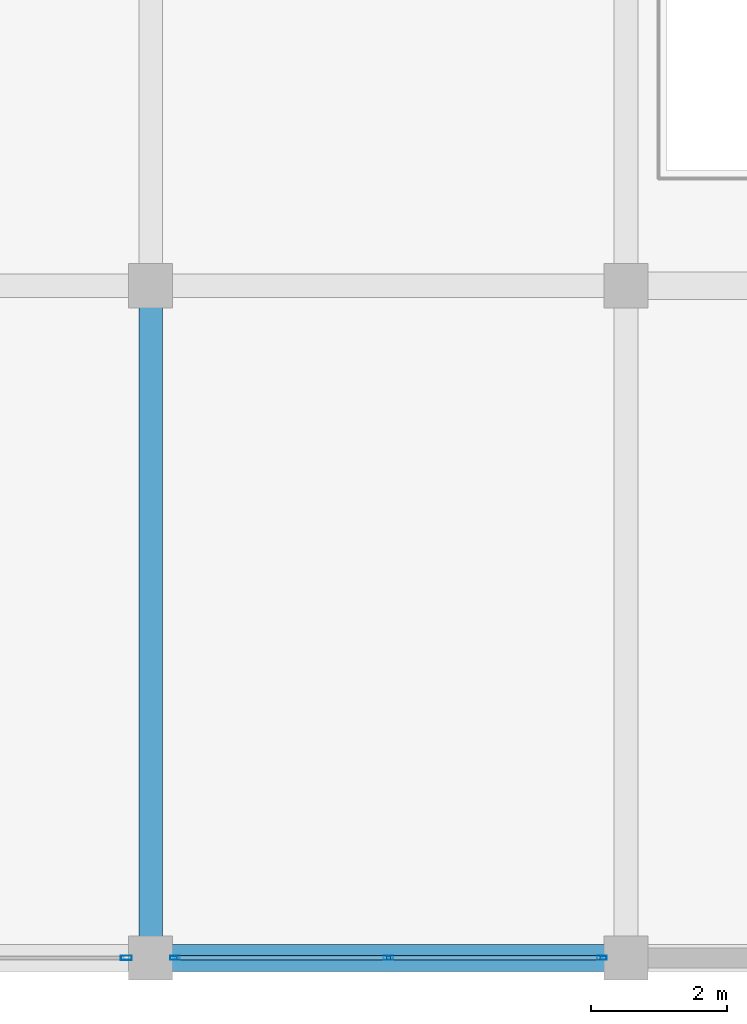
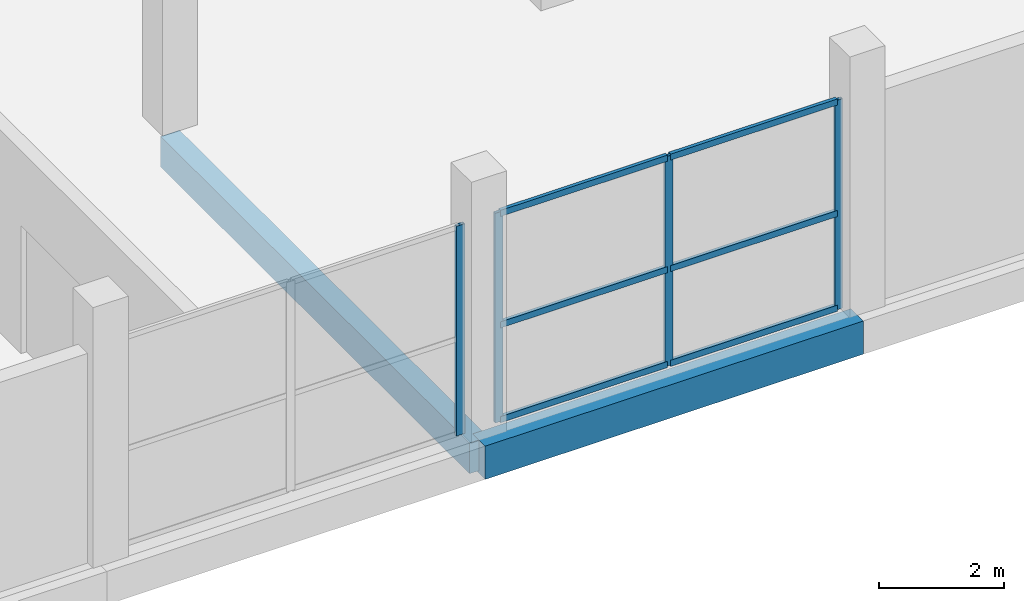
# One storey, part 4 of 58: 10 members, 2 beams, 2 elements without a shape of their own.
"""IFC4 building model written with IfcOpenShell, lengths in metres."""

from ifc_helpers import new_model, si_unit, direction, frame, origin, origin_2d, place, context, subcontext, project, spatial, rectangle, hollow_rectangle, extrude, material, layer, layer_set, material_profile, profile_set, type_object, element, aggregate, save


model = new_model("IFC4")

# Units and contexts
model_context = context("Model", 3, precision=1e-05, world=origin(), true_north=direction((0.0, 1.0)))
body_context = subcontext(model_context, "Body", "Model", "MODEL_VIEW")
ifc_project = project(units=[si_unit("LENGTHUNIT", "METRE"), si_unit("AREAUNIT", "SQUARE_METRE"), si_unit("VOLUMEUNIT", "CUBIC_METRE"), si_unit("PLANEANGLEUNIT", "RADIAN"), si_unit("MASSUNIT", "GRAM", prefix="KILO")], contexts=[model_context])

# Site, building, storey
site_placement = place(None, origin())
site = spatial("IfcSite", under=ifc_project, at=site_placement, CompositionType="ELEMENT")
building_placement = place(site_placement, origin())
building = spatial("IfcBuilding", under=site, at=building_placement, Name="Sillaruma Civic Art Gallery", CompositionType="ELEMENT")
storey_placement = place(building_placement, frame((0.0, 0.0, 52.02001953125)))
storey = spatial("IfcBuildingStorey", under=building, at=storey_placement, Name="L10", CompositionType="ELEMENT", Elevation=52.02001953125)

# Beams
ifc_material_1 = material(Name="Concrete H35 (35 MPa)", Category="concrete")
ifc_material_profile_1 = material_profile(ifc_material_1, rectangle(XDim=0.35009765625, YDim=0.60009765625, at=origin_2d()), Name="RCB350x600")
ifc_profile_set_1 = profile_set([ifc_material_profile_1], Name="Concrete H35 (35 MPa)")
beam_type_1 = type_object("IfcBeamType", Name="BM-BEAM-RCB350x600", PredefinedType="BEAM", material=ifc_profile_set_1)
beam_1_placement = place(storey_placement, frame((77.0, 19.800048828125, -0.550048828125), z_axis=(0.0, 1.0, 0.0), x_axis=(-1.0, 0.0, 0.0)))
element("IfcBeam", 1, at=beam_1_placement, inside=storey, type_object=beam_type_1, Name="Beam BM-06 (L09:H:3-4)", PredefinedType="BEAM", context=body_context, shape_type="SweptSolid", body=[
    extrude(rectangle(XDim=0.35009765625, YDim=0.60009765625, at=origin_2d()), origin(), (0.0, 0.0, 1.0), 9.89990234375),
])
ifc_material_profile_2 = material_profile(ifc_material_1, rectangle(XDim=0.39990234375, YDim=0.64990234375, at=origin_2d()), Name="RCB400x650")
ifc_profile_set_2 = profile_set([ifc_material_profile_2], Name="Concrete H35 (35 MPa)")
beam_type_2 = type_object("IfcBeamType", Name="BM-SPANDREL-RCB400x650", PredefinedType="SPANDREL", material=ifc_profile_set_2)
beam_2_placement = place(storey_placement, frame((77.0, 19.800048828125, -0.574951171875), z_axis=(1.0, 0.0, 0.0), x_axis=(0.0, 1.0, 0.0)))
element("IfcBeam", 2, at=beam_2_placement, inside=storey, type_object=beam_type_2, Name="Beam BS-02 (L09:3:H-J)", PredefinedType="SPANDREL", context=body_context, shape_type="SweptSolid", body=[
    extrude(rectangle(XDim=0.39990234375, YDim=0.64990234375, at=origin_2d()), origin(), (0.0, 0.0, 1.0), 7.0),
])

# Curtain wall, members
ifc_material_2 = material(Name="Thermally Broken Extruded Aluminium 6063-T6", Category="aluminium")
ifc_layer_1 = layer(ifc_material_2, 0.139892578125, Name="Thermally Broken Extruded Aluminium 6063-T6")
ifc_layer_set_1 = layer_set([ifc_layer_1], Name="Thermally Broken Extruded Aluminium 6063-T6")
curtain_wall_type_1 = type_object("IfcCurtainWallType", Name="CW-UNI-76", PredefinedType="NOTDEFINED", material=ifc_layer_set_1)
curtain_wall_1_placement = place(storey_placement, origin())
curtain_wall_1 = element("IfcCurtainWall", 3, at=curtain_wall_1_placement, inside=storey, type_object=curtain_wall_type_1, Name="Unitised Curtain Wall CW-76 (CW-L10-WBS-3)", PredefinedType="NOTDEFINED")
ifc_material_profile_3 = material_profile(ifc_material_2, hollow_rectangle(XDim=0.06005859375, YDim=0.139892578125, WallThickness=0.00341796875, at=origin_2d()), Name="CWM60x140")
ifc_profile_set_3 = profile_set([ifc_material_profile_3], Name="Thermally Broken Extruded Aluminium 6063-T6")
member_type_1 = type_object("IfcMemberType", Name="MEM-MUL-CWM60x140", PredefinedType="MULLION", material=ifc_profile_set_3)
member_1_placement = place(storey_placement, frame((77.35498046875, 19.800048828125, 0.0), z_axis=(0.0, 0.0, 1.0), x_axis=(0.0, 1.0, 0.0)))
member_1 = element("IfcMember", 4, at=member_1_placement, type_object=member_type_1, Name="CW-76 mullion 1", PredefinedType="MULLION", context=body_context, shape_type="SweptSolid", body=[
    extrude(hollow_rectangle(XDim=0.06005859375, YDim=0.139892578125, WallThickness=0.00341796875, at=origin_2d()), origin(), (0.0, 0.0, 1.0), 4.10009765625),
])
member_2_placement = place(storey_placement, frame((80.5, 19.800048828125, 0.0), z_axis=(0.0, 0.0, 1.0), x_axis=(0.0, 1.0, 0.0)))
member_2 = element("IfcMember", 5, at=member_2_placement, type_object=member_type_1, Name="CW-76 mullion 2", PredefinedType="MULLION", context=body_context, shape_type="SweptSolid", body=[
    extrude(hollow_rectangle(XDim=0.06005859375, YDim=0.139892578125, WallThickness=0.00341796875, at=origin_2d()), origin(), (0.0, 0.0, 1.0), 4.10009765625),
])
member_3_placement = place(storey_placement, frame((83.64501953125, 19.800048828125, 0.0), z_axis=(0.0, 0.0, 1.0), x_axis=(0.0, 1.0, 0.0)))
member_3 = element("IfcMember", 6, at=member_3_placement, type_object=member_type_1, Name="CW-76 mullion 3", PredefinedType="MULLION", context=body_context, shape_type="SweptSolid", body=[
    extrude(hollow_rectangle(XDim=0.06005859375, YDim=0.139892578125, WallThickness=0.00341796875, at=origin_2d()), origin(), (0.0, 0.0, 1.0), 4.10009765625),
])

# Curtain wall, member
ifc_layer_2 = layer(ifc_material_2, 0.159912109375, Name="Thermally Broken Extruded Aluminium 6063-T6")
ifc_layer_set_2 = layer_set([ifc_layer_2], Name="Thermally Broken Extruded Aluminium 6063-T6")
curtain_wall_type_2 = type_object("IfcCurtainWallType", Name="CW-UNI-68", PredefinedType="NOTDEFINED", material=ifc_layer_set_2)
curtain_wall_2_placement = place(storey_placement, origin())
curtain_wall_2 = element("IfcCurtainWall", 7, at=curtain_wall_2_placement, inside=storey, type_object=curtain_wall_type_2, Name="Unitised Curtain Wall CW-68 (CW-L10-WBS-2)", PredefinedType="NOTDEFINED")
ifc_material_profile_4 = material_profile(ifc_material_2, hollow_rectangle(XDim=0.06494140625, YDim=0.159912109375, WallThickness=0.00390625, at=origin_2d()), Name="CWM65x160")
ifc_profile_set_4 = profile_set([ifc_material_profile_4], Name="Thermally Broken Extruded Aluminium 6063-T6")
member_type_2 = type_object("IfcMemberType", Name="MEM-MUL-CWM65x160", PredefinedType="MULLION", material=ifc_profile_set_4)
member_4_placement = place(storey_placement, frame((76.642578125, 19.800048828125, 0.0), z_axis=(0.0, 0.0, 1.0), x_axis=(0.0, 1.0, 0.0)))
member_4 = element("IfcMember", 8, at=member_4_placement, type_object=member_type_2, Name="CW-68 mullion 3", PredefinedType="MULLION", context=body_context, shape_type="SweptSolid", body=[
    extrude(hollow_rectangle(XDim=0.06494140625, YDim=0.159912109375, WallThickness=0.00390625, at=origin_2d()), origin(), (0.0, 0.0, 1.0), 4.10009765625),
])
aggregate(curtain_wall_2, [member_4])

# Member
ifc_material_profile_5 = material_profile(ifc_material_2, hollow_rectangle(XDim=0.06494140625, YDim=0.1201171875, WallThickness=0.00341796875, at=origin_2d()), Name="CWT65x120")
ifc_profile_set_5 = profile_set([ifc_material_profile_5], Name="Thermally Broken Extruded Aluminium 6063-T6")
member_type_3 = type_object("IfcMemberType", Name="MEM-TRN-CWT65x120", PredefinedType="USERDEFINED", material=ifc_profile_set_5)
member_5_placement = place(storey_placement, frame((77.385009765625, 19.800048828125, 0.032470703125), z_axis=(1.0, 0.0, 0.0), x_axis=(0.0, 1.0, 0.0)))
member_5 = element("IfcMember", 9, at=member_5_placement, type_object=member_type_3, Name="CW-76 transom 1.1", ObjectType="TRANSOM", PredefinedType="USERDEFINED", context=body_context, shape_type="SweptSolid", body=[
    extrude(hollow_rectangle(XDim=0.06494140625, YDim=0.1201171875, WallThickness=0.00341796875, at=origin_2d()), origin(), (0.0, 0.0, 1.0), 3.0849609375),
])

member_6_placement = place(storey_placement, frame((77.385009765625, 19.800048828125, 1.885986328125), z_axis=(1.0, 0.0, 0.0), x_axis=(0.0, 1.0, 0.0)))
member_6 = element("IfcMember", 10, at=member_6_placement, type_object=member_type_3, Name="CW-76 transom 1.2", ObjectType="TRANSOM", PredefinedType="USERDEFINED", context=body_context, shape_type="SweptSolid", body=[
    extrude(hollow_rectangle(XDim=0.06494140625, YDim=0.1201171875, WallThickness=0.00341796875, at=origin_2d()), origin(), (0.0, 0.0, 1.0), 3.0849609375),
])

member_7_placement = place(storey_placement, frame((77.385009765625, 19.800048828125, 4.0673828125), z_axis=(1.0, 0.0, 0.0), x_axis=(0.0, 1.0, 0.0)))
member_7 = element("IfcMember", 11, at=member_7_placement, type_object=member_type_3, Name="CW-76 transom 1.3", ObjectType="TRANSOM", PredefinedType="USERDEFINED", context=body_context, shape_type="SweptSolid", body=[
    extrude(hollow_rectangle(XDim=0.06494140625, YDim=0.1201171875, WallThickness=0.00341796875, at=origin_2d()), origin(), (0.0, 0.0, 1.0), 3.0849609375),
])

member_8_placement = place(storey_placement, frame((80.530029296875, 19.800048828125, 0.032470703125), z_axis=(1.0, 0.0, 0.0), x_axis=(0.0, 1.0, 0.0)))
member_8 = element("IfcMember", 12, at=member_8_placement, type_object=member_type_3, Name="CW-76 transom 2.1", ObjectType="TRANSOM", PredefinedType="USERDEFINED", context=body_context, shape_type="SweptSolid", body=[
    extrude(hollow_rectangle(XDim=0.06494140625, YDim=0.1201171875, WallThickness=0.00341796875, at=origin_2d()), origin(), (0.0, 0.0, 1.0), 3.0849609375),
])

member_9_placement = place(storey_placement, frame((80.530029296875, 19.800048828125, 1.885986328125), z_axis=(1.0, 0.0, 0.0), x_axis=(0.0, 1.0, 0.0)))
member_9 = element("IfcMember", 13, at=member_9_placement, type_object=member_type_3, Name="CW-76 transom 2.2", ObjectType="TRANSOM", PredefinedType="USERDEFINED", context=body_context, shape_type="SweptSolid", body=[
    extrude(hollow_rectangle(XDim=0.06494140625, YDim=0.1201171875, WallThickness=0.00341796875, at=origin_2d()), origin(), (0.0, 0.0, 1.0), 3.0849609375),
])

member_10_placement = place(storey_placement, frame((80.530029296875, 19.800048828125, 4.0673828125), z_axis=(1.0, 0.0, 0.0), x_axis=(0.0, 1.0, 0.0)))
member_10 = element("IfcMember", 14, at=member_10_placement, type_object=member_type_3, Name="CW-76 transom 2.3", ObjectType="TRANSOM", PredefinedType="USERDEFINED", context=body_context, shape_type="SweptSolid", body=[
    extrude(hollow_rectangle(XDim=0.06494140625, YDim=0.1201171875, WallThickness=0.00341796875, at=origin_2d()), origin(), (0.0, 0.0, 1.0), 3.0849609375),
])

aggregate(curtain_wall_1, [member_1, member_2, member_3, member_5, member_6, member_7, member_8, member_9, member_10])

save(model, "model.ifc")
